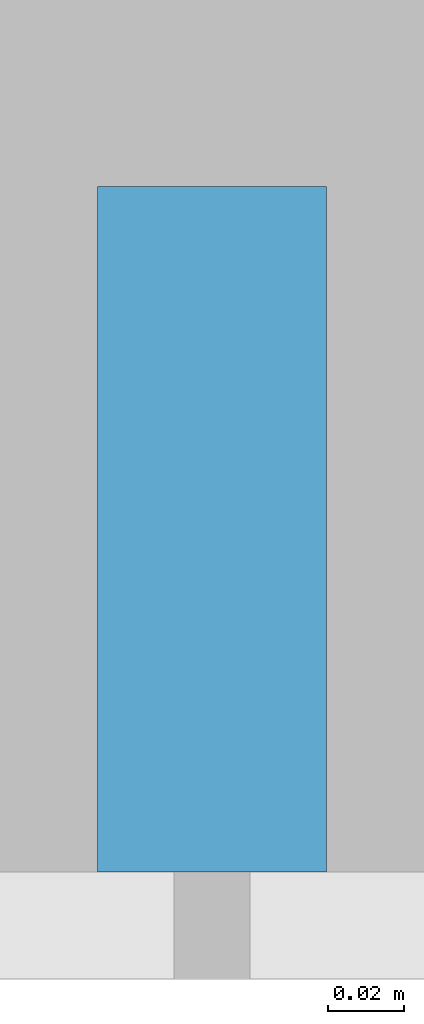
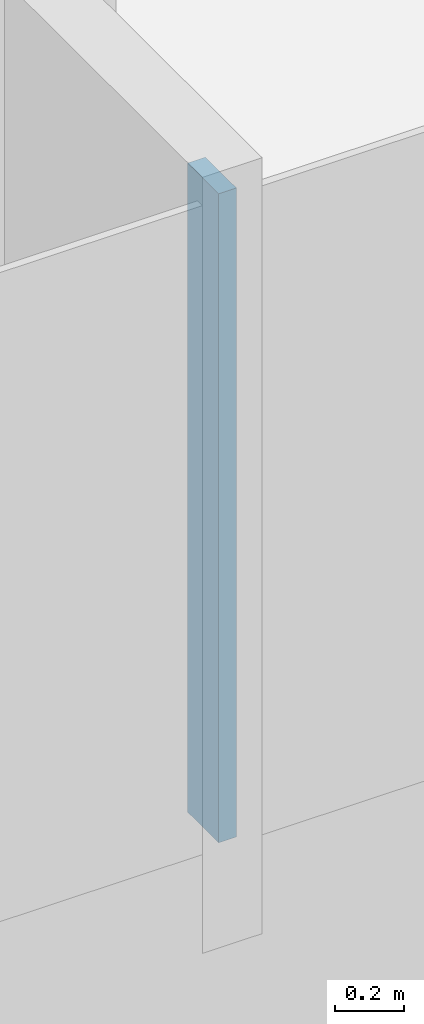
# One storey, part 5 of 26: 1 member, 1 element without a shape of its own.
"""IFC4 building model written with IfcOpenShell, lengths in metres."""

from ifc_helpers import new_model, si_unit, direction, frame, origin, origin_2d, place, context, subcontext, project, spatial, rectangle, extrude, material, layer, layer_set, material_profile, profile_set, type_object, element, aggregate, save


model = new_model("IFC4")

# Units and contexts
model_context = context("Model", 3, precision=1e-05, world=origin(), true_north=direction((0.0, 1.0)))
body_context = subcontext(model_context, "Body", "Model", "MODEL_VIEW")
ifc_project = project(units=[si_unit("LENGTHUNIT", "METRE"), si_unit("AREAUNIT", "SQUARE_METRE"), si_unit("VOLUMEUNIT", "CUBIC_METRE"), si_unit("PLANEANGLEUNIT", "RADIAN"), si_unit("MASSUNIT", "GRAM", prefix="KILO")], contexts=[model_context])

# Site, building, storey
site_placement = place(None, origin())
site = spatial("IfcSite", under=ifc_project, at=site_placement, CompositionType="ELEMENT")
building_placement = place(site_placement, origin())
building = spatial("IfcBuilding", under=site, at=building_placement, Name="Hakoniwa Tower and Hamabe Station Hall", CompositionType="ELEMENT")
storey_placement = place(building_placement, frame((0.0, 0.0, 212.199951171875)))
storey = spatial("IfcBuildingStorey", under=building, at=storey_placement, Name="L60", CompositionType="ELEMENT", Elevation=212.199951171875)

# Curtain wall, member
ifc_material_1 = material(Name="Dark low-e laminated glass", Category="glass")
ifc_layer = layer(ifc_material_1, 0.199951171875)
ifc_layer_set = layer_set([ifc_layer], Name="CW-1 UNITISED GUEST")
curtain_wall_type = type_object("IfcCurtainWallType", Name="CW-1 UNITISED GUEST", PredefinedType="NOTDEFINED", material=ifc_layer_set)
curtain_wall_placement = place(storey_placement, origin())
curtain_wall = element("IfcCurtainWall", 1, at=curtain_wall_placement, inside=storey, type_object=curtain_wall_type, Name="CW-1 curtain wall", PredefinedType="NOTDEFINED")
ifc_material_2 = material(Name="Aluminium 6063-T5 black anodised", Category="aluminium")
ifc_material_profile = material_profile(ifc_material_2, rectangle(XDim=0.06005859375, YDim=0.179931640625, at=origin_2d()), Name="CW-1 MULLION 60X180")
ifc_profile_set = profile_set([ifc_material_profile], Name="Aluminium 6063-T5 black anodised")
member_type = type_object("IfcMemberType", Name="CW-1 MULLION 60X180", PredefinedType="MULLION", material=ifc_profile_set)
member_placement = place(storey_placement, frame((16.800048828125, -15.431884765625, 0.35009765625), z_axis=(0.0, 0.0, 1.0), x_axis=(1.0, 0.0, 0.0)))
member = element("IfcMember", 2, at=member_placement, type_object=member_type, Name="CW-1 mullion", PredefinedType="MULLION", context=body_context, shape_type="SweptSolid", body=[
    extrude(rectangle(XDim=0.06005859375, YDim=0.179931640625, at=origin_2d()), origin(), (0.0, 0.0, 1.0), 2.300048828125),
])
aggregate(curtain_wall, [member])

save(model, "model.ifc")
